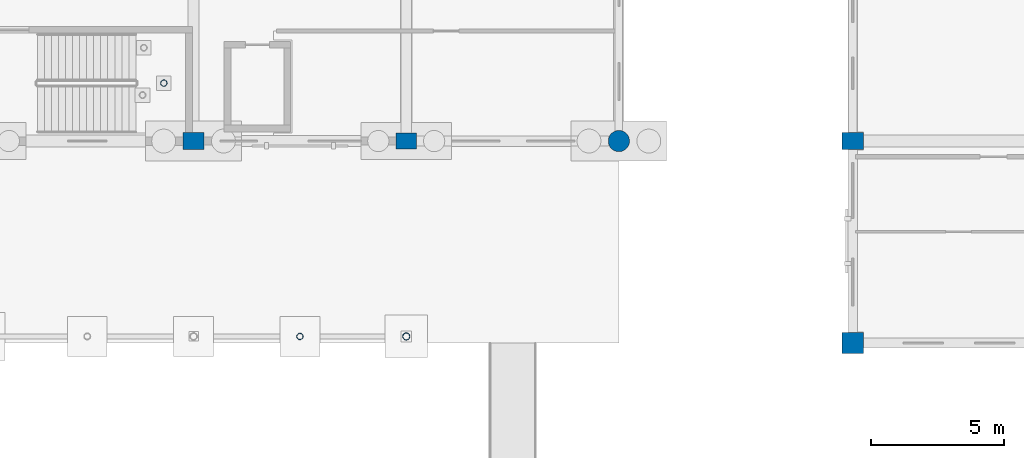
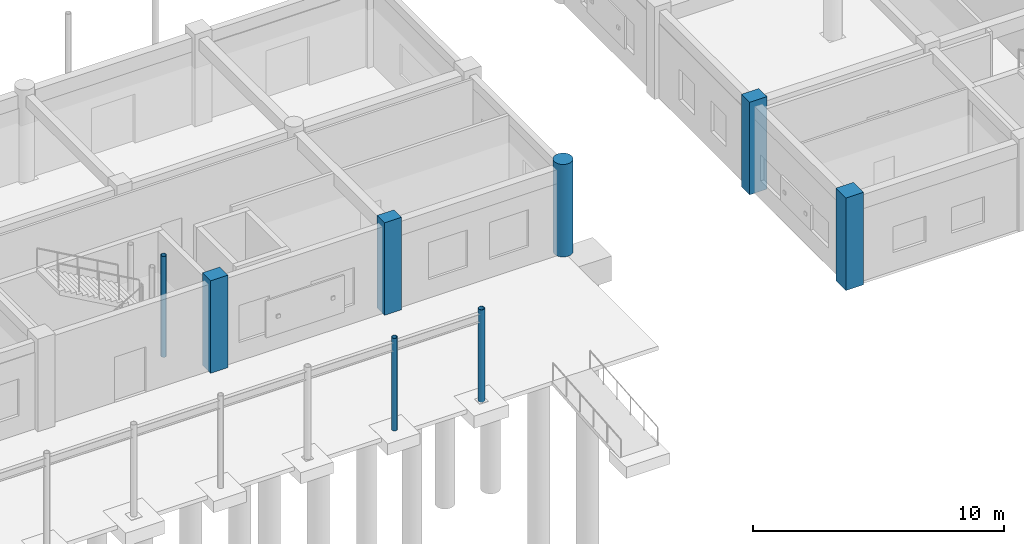
# One storey, part 24 of 166: 8 columns.
"""IFC4 building model written with IfcOpenShell, lengths in metres."""

import ifcopenshell
import ifcopenshell.guid

model = None  # the IFC model being written
_history = None  # IfcOwnerHistory: only IFC2X3 demands one
_inside = {}  # id of a spatial element -> (the spatial element, [elements in it])
_under = {}  # id of a project, library or spatial element -> (it, [spatial elements below it])
_declared = {}  # id of a project -> (the project, [libraries it declares])
_typed = {}  # id of a type object -> (the type object, [elements of that type])
_made_of = {}  # id of a material, layer set ... -> (it, [elements and type objects made of it])


def new_model(schema):
    """Start an empty IFC model of exactly this schema.

    Asked for "IFC4X3", IfcOpenShell would pick the latest addendum, in which some entities
    have other attributes; the version numbers below select the first issue.
    IFC2X3 requires an IfcOwnerHistory on every rooted entity: one is made here for all.
    """
    global model, _history
    if schema == "IFC4X3":
        model = ifcopenshell.file(schema_version=(4, 3, 0, 0))
    else:
        model = ifcopenshell.file(schema=schema)
    _inside.clear()
    _under.clear()
    _declared.clear()
    _typed.clear()
    _made_of.clear()
    _history = None
    if model.schema == "IFC2X3":
        org = make("IfcOrganization", Name="unknown")
        user = make(
            "IfcPersonAndOrganization",
            ThePerson=make("IfcPerson", FamilyName="unknown"),
            TheOrganization=org,
        )
        app = make(
            "IfcApplication",
            ApplicationDeveloper=org,
            Version="unknown",
            ApplicationFullName="unknown",
            ApplicationIdentifier="unknown",
        )
        _history = make(
            "IfcOwnerHistory",
            OwningUser=user,
            OwningApplication=app,
            ChangeAction="ADDED",
            CreationDate=0,
        )
    return model


def make(cls, **values):
    """One entity of the class cls with the attributes given. An attribute that is None is left unset."""
    return model.create_entity(
        cls, **{name: value for name, value in values.items() if value is not None}
    )


def rooted(cls, **values):
    """An entity with a GlobalId (a new one), such as an element, a storey or a relation."""
    return make(cls, GlobalId=ifcopenshell.guid.new(), OwnerHistory=_history, **values)


def si_unit(unit_type, name, prefix=None):
    """IfcSIUnit, for example si_unit("LENGTHUNIT", "METRE", prefix="MILLI")."""
    return make("IfcSIUnit", UnitType=unit_type, Prefix=prefix, Name=name)


def assignment(units):
    """IfcUnitAssignment: the units of a project."""
    return None if units is None else make("IfcUnitAssignment", Units=units)


def point(xyz):
    """IfcCartesianPoint."""
    return None if xyz is None else make("IfcCartesianPoint", Coordinates=xyz)


def direction(xyz):
    """IfcDirection."""
    return None if xyz is None else make("IfcDirection", DirectionRatios=xyz)


def frame(location, z_axis=None, x_axis=None):
    """IfcAxis2Placement3D, a coordinate frame: its origin and axes. An axis left out is left unset."""
    return make(
        "IfcAxis2Placement3D",
        Location=point(location),
        Axis=direction(z_axis),
        RefDirection=direction(x_axis),
    )


def frame_2d(location, x_axis=None):
    """IfcAxis2Placement2D, a coordinate frame in the plane: its origin and x axis."""
    return make(
        "IfcAxis2Placement2D", Location=point(location), RefDirection=direction(x_axis)
    )


def origin():
    """The frame at (0, 0, 0) with its axes left unset."""
    return frame((0.0, 0.0, 0.0))


def origin_2d():
    """The frame at (0, 0) in the plane with its x axis left unset."""
    return frame_2d((0.0, 0.0))


def place(relative_to, where):
    """IfcLocalPlacement: puts the frame where relative to a parent placement (None: the world)."""
    return make(
        "IfcLocalPlacement", PlacementRelTo=relative_to, RelativePlacement=where
    )


def context(
    kind, dimensions, precision=None, world=None, true_north=None, identifier=None
):
    """IfcGeometricRepresentationContext, for example the 3D "Model" context."""
    return make(
        "IfcGeometricRepresentationContext",
        ContextIdentifier=identifier,
        ContextType=kind,
        CoordinateSpaceDimension=dimensions,
        Precision=precision,
        WorldCoordinateSystem=world,
        TrueNorth=true_north,
    )


def subcontext(parent, identifier, kind, view, scale=None):
    """IfcGeometricRepresentationSubContext, for example "Body" below "Model"."""
    return make(
        "IfcGeometricRepresentationSubContext",
        ContextIdentifier=identifier,
        ContextType=kind,
        ParentContext=parent,
        TargetScale=scale,
        TargetView=view,
    )


def project(units=None, contexts=None):
    """IfcProject with its units and contexts."""
    return rooted(
        "IfcProject",
        Name="project",
        RepresentationContexts=contexts,
        UnitsInContext=assignment(units),
    )


def spatial(cls, under=None, at=None, **own):
    """A site, building, storey or space (cls), placed at a placement, below another one or the project."""
    s = rooted(cls, ObjectPlacement=at, **own)
    if under is not None:
        _under.setdefault(under.id(), (under, []))[1].append(s)
    return s


def profile(cls, at=None, kind="AREA", **sizes):
    """A parametric profile (cls). Its sizes go by their IFC names, for example OverallWidth=200.0."""
    return make(cls, ProfileType=kind, Position=at, **sizes)


def rectangle(**sizes):
    """IfcRectangleProfileDef."""
    return profile("IfcRectangleProfileDef", **sizes)


def circle(**sizes):
    """IfcCircleProfileDef."""
    return profile("IfcCircleProfileDef", **sizes)


def hollow_circle(**sizes):
    """IfcCircleHollowProfileDef."""
    return profile("IfcCircleHollowProfileDef", **sizes)


def extrude(swept, where, along, depth):
    """IfcExtrudedAreaSolid: the profile swept, set in the frame where, extruded along a direction by depth."""
    return make(
        "IfcExtrudedAreaSolid",
        SweptArea=swept,
        Position=where,
        ExtrudedDirection=direction(along),
        Depth=depth,
    )


def shape(context_of_items, identifier, shape_type, items):
    """IfcShapeRepresentation: the items that make up one representation, for example the "Body"."""
    return make(
        "IfcShapeRepresentation",
        ContextOfItems=context_of_items,
        RepresentationIdentifier=identifier,
        RepresentationType=shape_type,
        Items=items,
    )


def material(Name=None, Category=None):
    """IfcMaterial."""
    return make("IfcMaterial", Name=Name, Category=Category)


def material_profile(
    of_material, cross_section, Name=None, Category=None, Priority=None
):
    """IfcMaterialProfile: a cross section and its material."""
    return make(
        "IfcMaterialProfile",
        Name=Name,
        Material=of_material,
        Profile=cross_section,
        Priority=Priority,
        Category=Category,
    )


def profile_set(profiles, Name=None, composite=None):
    """IfcMaterialProfileSet."""
    return make(
        "IfcMaterialProfileSet",
        Name=Name,
        MaterialProfiles=profiles,
        CompositeProfile=composite,
    )


def made_of(thing, what):
    """Note that an element or type object is made of a material, layer set ...; save() writes the relation."""
    if what is not None:
        _made_of.setdefault(what.id(), (what, []))[1].append(thing)
    return thing


def type_object(cls, material=None, **own):
    """A type object (cls), such as IfcWallType, which elements share."""
    return made_of(rooted(cls, **own), material)


def element(
    cls,
    number,
    at=None,
    inside=None,
    cuts=None,
    type_object=None,
    material=None,
    context=None,
    identifier="Body",
    shape_type=None,
    held_by="IfcProductDefinitionShape",
    body=None,
    shapes=None,
    **own,
):
    """One element of the class cls, such as IfcWall. Its Tag is "e" and its number.

    at: its placement. inside: the storey or other place that contains it. cuts: it is an
    opening in that element (IfcRelVoidsElement). A single representation is given by context,
    identifier, shape_type and body (its items); several are given by shapes. held_by: the class
    of the entity that holds the representations. save() writes the other relations.
    """
    e = rooted(cls, Tag="e%d" % number, ObjectPlacement=at, **own)
    if body is not None:
        shapes = [shape(context, identifier, shape_type, body)]
    if shapes is not None:
        e.Representation = make(held_by, Representations=shapes)
    if inside is not None:
        _inside.setdefault(inside.id(), (inside, []))[1].append(e)
    if cuts is not None:
        rooted(
            "IfcRelVoidsElement", RelatingBuildingElement=cuts, RelatedOpeningElement=e
        )
    if type_object is not None:
        _typed.setdefault(type_object.id(), (type_object, []))[1].append(e)
    return made_of(e, material)


def aggregate(whole, parts):
    """IfcRelAggregates: a whole, such as a stair, and the parts it consists of."""
    return rooted("IfcRelAggregates", RelatingObject=whole, RelatedObjects=parts)


def save(model, path):
    """Write the relations noted so far, then the file.

    IfcRelAggregates (storeys below a building ...), IfcRelContainedInSpatialStructure (elements
    in a storey), IfcRelDefinesByType, IfcRelAssociatesMaterial and IfcRelDeclares: one each for
    every whole, place, type object, material and project.
    """
    for whole, parts in _under.values():
        aggregate(whole, parts)
    for where, things in _inside.values():
        rooted(
            "IfcRelContainedInSpatialStructure",
            RelatedElements=things,
            RelatingStructure=where,
        )
    for kind, things in _typed.values():
        rooted("IfcRelDefinesByType", RelatedObjects=things, RelatingType=kind)
    for what, things in _made_of.values():
        rooted("IfcRelAssociatesMaterial", RelatedObjects=things, RelatingMaterial=what)
    for by, libraries in _declared.values():
        rooted("IfcRelDeclares", RelatingContext=by, RelatedDefinitions=libraries)
    model.write(path)


model = new_model("IFC4")

# Units and contexts
model_context = context("Model", 3, precision=1e-05, world=origin(), true_north=direction((0.0, 1.0)))
body_context = subcontext(model_context, "Body", "Model", "MODEL_VIEW")
ifc_project = project(units=[si_unit("LENGTHUNIT", "METRE"), si_unit("AREAUNIT", "SQUARE_METRE"), si_unit("VOLUMEUNIT", "CUBIC_METRE"), si_unit("PLANEANGLEUNIT", "RADIAN"), si_unit("MASSUNIT", "GRAM", prefix="KILO")], contexts=[model_context])

# Site, building, storey
site_placement = place(None, origin())
site = spatial("IfcSite", under=ifc_project, at=site_placement, CompositionType="ELEMENT")
building_placement = place(site_placement, origin())
building = spatial("IfcBuilding", under=site, at=building_placement, Name="Kharva Crest Polytechnic", CompositionType="ELEMENT")
storey_placement = place(building_placement, origin())
storey = spatial("IfcBuildingStorey", under=building, at=storey_placement, Name="L00", CompositionType="ELEMENT", Elevation=0.0)

# Columns
ifc_material_1 = material(Name="Concrete C40/50", Category="concrete")
ifc_material_profile_1 = material_profile(ifc_material_1, rectangle(XDim=0.780029296875, YDim=0.60009765625, at=origin_2d()), Name="RECT 780 X 600")
ifc_profile_set_1 = profile_set([ifc_material_profile_1], Name="Concrete C40/50")
column_type_1 = type_object("IfcColumnType", Name="COL-EXT-780X600", PredefinedType="COLUMN", material=ifc_profile_set_1)
column_1_placement = place(storey_placement, frame((104.0, 7.60009765625, 0.0), z_axis=(0.0, 0.0, 1.0), x_axis=(1.0, 0.0, 0.0)))
element("IfcColumn", 1, at=column_1_placement, inside=storey, type_object=column_type_1, Name="L00 Column 14/B", PredefinedType="COLUMN", context=body_context, shape_type="SweptSolid", body=[
    extrude(rectangle(XDim=0.780029296875, YDim=0.60009765625, at=origin_2d()), origin(), (0.0, 0.0, 1.0), 4.5),
])
ifc_material_profile_2 = material_profile(ifc_material_1, rectangle(XDim=0.800048828125, YDim=0.64990234375, at=origin_2d()), Name="RECT 800 X 650")
ifc_profile_set_2 = profile_set([ifc_material_profile_2], Name="Concrete C40/50")
column_type_2 = type_object("IfcColumnType", Name="COL-EXT-800X650", PredefinedType="COLUMN", material=ifc_profile_set_2)
for number, where, z_axis, x_axis, name in (
    (2, (96.0, 7.60009765625, 0.0), (0.0, 0.0, 1.0), (1.0, 0.0, 0.0), "L00 Column 13/B"),
    (3, (120.800048828125, 7.60009765625, 0.0), (0.0, 0.0, 1.0), (1.0, 0.0, 0.0), "L00 Column 16J/B"),
):
    element("IfcColumn", number, at=place(storey_placement, frame(where, z_axis=z_axis, x_axis=x_axis)), inside=storey, type_object=column_type_2, Name=name, PredefinedType="COLUMN", context=body_context, shape_type="SweptSolid", body=[
        extrude(rectangle(XDim=0.800048828125, YDim=0.64990234375, at=origin_2d()), origin(), (0.0, 0.0, 1.0), 4.5),
    ])
ifc_material_profile_3 = material_profile(ifc_material_1, rectangle(XDim=0.800048828125, YDim=0.800048828125, at=origin_2d()), Name="RECT 800 X 800")
ifc_profile_set_3 = profile_set([ifc_material_profile_3], Name="Concrete C40/50")
column_type_3 = type_object("IfcColumnType", Name="COL-EXT-800X800", PredefinedType="COLUMN", material=ifc_profile_set_3)
column_2_placement = place(storey_placement, frame((120.800048828125, 0.0, 0.0), z_axis=(0.0, 0.0, 1.0), x_axis=(1.0, 0.0, 0.0)))
element("IfcColumn", 4, at=column_2_placement, inside=storey, type_object=column_type_3, Name="L00 Column 16J/A", PredefinedType="COLUMN", context=body_context, shape_type="SweptSolid", body=[
    extrude(rectangle(XDim=0.800048828125, YDim=0.800048828125, at=origin_2d()), origin(), (0.0, 0.0, 1.0), 4.5),
])
ifc_material_profile_4 = material_profile(ifc_material_1, circle(Radius=0.39990234375, at=origin_2d()), Name="DIA 800")
ifc_profile_set_4 = profile_set([ifc_material_profile_4], Name="Concrete C40/50")
column_type_4 = type_object("IfcColumnType", Name="COL-EXT-DIA800", PredefinedType="COLUMN", material=ifc_profile_set_4)
column_3_placement = place(storey_placement, frame((112.0, 7.60009765625, 0.0), z_axis=(0.0, 0.0, 1.0), x_axis=(1.0, 0.0, 0.0)))
element("IfcColumn", 5, at=column_3_placement, inside=storey, type_object=column_type_4, Name="L00 Column 15/B", PredefinedType="COLUMN", context=body_context, shape_type="SweptSolid", body=[
    extrude(circle(Radius=0.39990234375, at=origin_2d()), origin(), (0.0, 0.0, 1.0), 4.5),
])
ifc_material_2 = material(Name="Steel S355", Category="steel")
ifc_material_profile_5 = material_profile(ifc_material_2, hollow_circle(Radius=0.122314453125, WallThickness=0.010009765625, at=origin_2d()), Name="CHS 244.5X10.0")
ifc_profile_set_5 = profile_set([ifc_material_profile_5], Name="Steel S355")
column_type_5 = type_object("IfcColumnType", Name="COL-STL-CHS244", PredefinedType="COLUMN", material=ifc_profile_set_5)
column_4_placement = place(storey_placement, frame((100.0, 0.25, 0.0), z_axis=(0.0, 0.0, 1.0), x_axis=(1.0, 0.0, 0.0)))
element("IfcColumn", 6, at=column_4_placement, inside=storey, type_object=column_type_5, Name="L00 Colonnade Mid Column ASM05", PredefinedType="COLUMN", context=body_context, shape_type="SweptSolid", body=[
    extrude(hollow_circle(Radius=0.122314453125, WallThickness=0.010009765625, at=origin_2d()), origin(), (0.0, 0.0, 1.0), 4.5),
])
column_5_placement = place(storey_placement, frame((94.8798828125, 9.780029296875, -0.405029296875), z_axis=(0.0, 0.0, 1.0), x_axis=(1.0, 0.0, 0.0)))
element("IfcColumn", 7, at=column_5_placement, inside=storey, type_object=column_type_5, Name="L00 Stair ST-08 Landing Support Column EM", PredefinedType="COLUMN", context=body_context, shape_type="SweptSolid", body=[
    extrude(hollow_circle(Radius=0.122314453125, WallThickness=0.010009765625, at=origin_2d()), origin(), (0.0, 0.0, 1.0), 4.905029296875),
])
ifc_material_profile_6 = material_profile(ifc_material_2, hollow_circle(Radius=0.136474609375, WallThickness=0.012451171875, at=origin_2d()), Name="CHS 273.0X12.5")
ifc_profile_set_6 = profile_set([ifc_material_profile_6], Name="Steel S355")
column_type_6 = type_object("IfcColumnType", Name="COL-STL-CHS273", PredefinedType="COLUMN", material=ifc_profile_set_6)
column_6_placement = place(storey_placement, frame((104.0, 0.25, 0.0), z_axis=(0.0, 0.0, 1.0), x_axis=(1.0, 0.0, 0.0)))
element("IfcColumn", 8, at=column_6_placement, inside=storey, type_object=column_type_6, Name="L00 Colonnade Column AS06", PredefinedType="COLUMN", context=body_context, shape_type="SweptSolid", body=[
    extrude(hollow_circle(Radius=0.136474609375, WallThickness=0.012451171875, at=origin_2d()), origin(), (0.0, 0.0, 1.0), 4.5),
])

save(model, "model.ifc")
